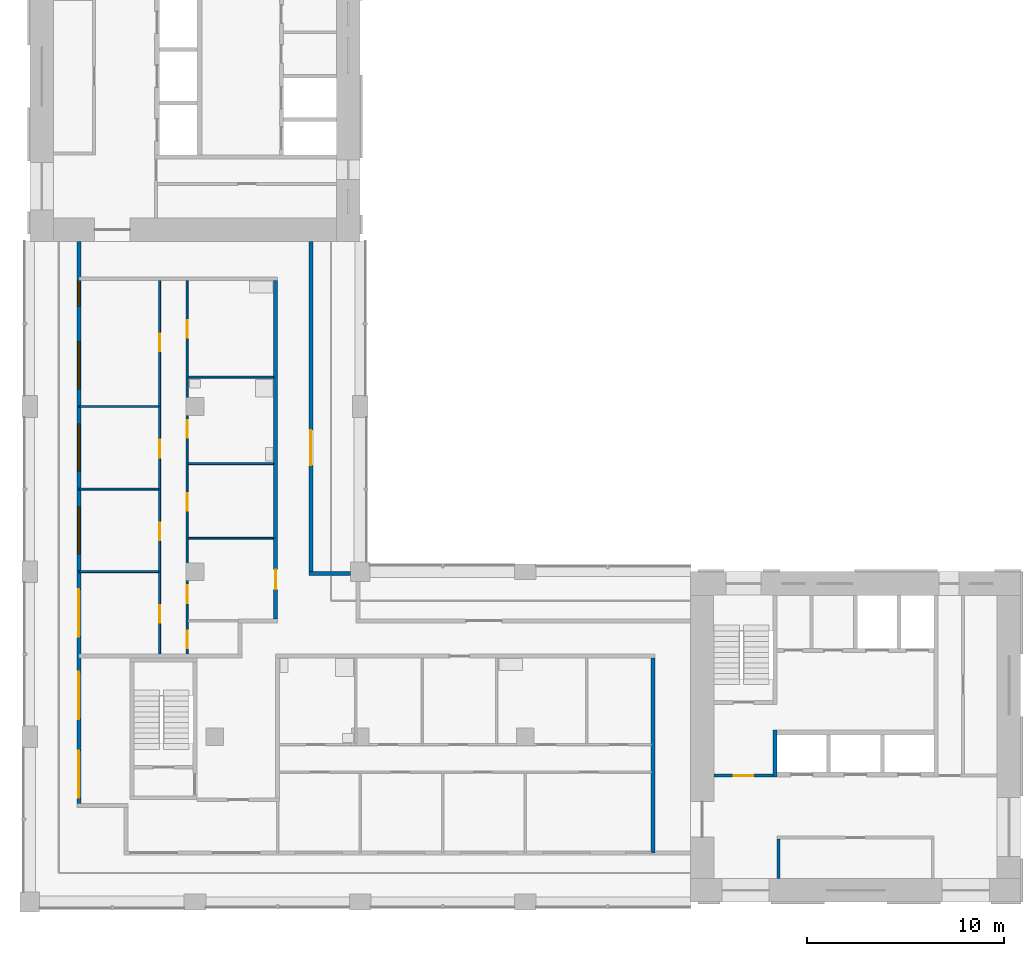
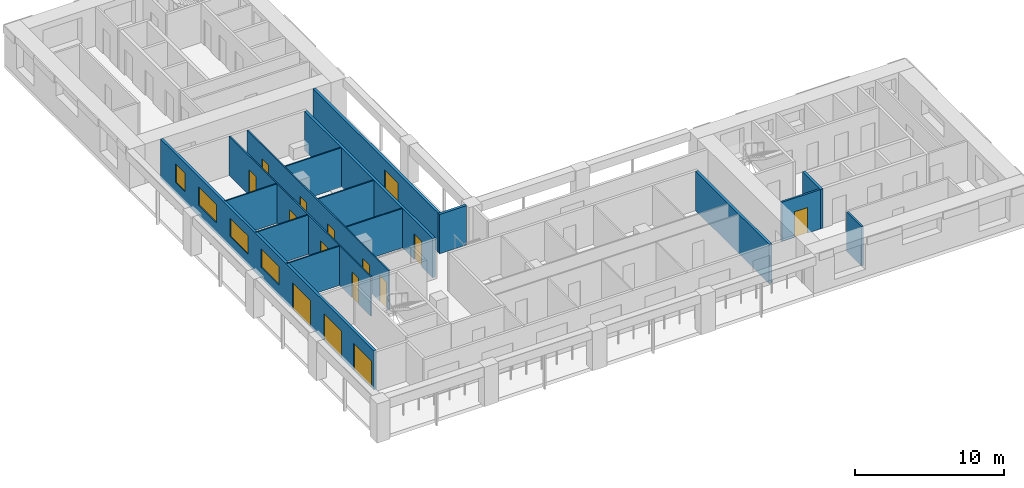
# One storey, part 3 of 9: 16 walls, 15 doors, 4 windows, 19 openings.
"""IFC4 building model written with IfcOpenShell, lengths in metres."""

from ifc_helpers import new_model, si_unit, direction, frame, frame_2d, origin, place, context, subcontext, project, spatial, rectangle, extrude, material, layer, layer_set, type_object, element, fill, save


model = new_model("IFC4")

# Units and contexts
model_context = context("Model", 3, precision=1e-05, world=origin(), true_north=direction((0.0, 1.0)))
body_context = subcontext(model_context, "Body", "Model", "MODEL_VIEW")
ifc_project = project(units=[si_unit("LENGTHUNIT", "METRE"), si_unit("AREAUNIT", "SQUARE_METRE"), si_unit("VOLUMEUNIT", "CUBIC_METRE"), si_unit("PLANEANGLEUNIT", "RADIAN"), si_unit("MASSUNIT", "GRAM", prefix="KILO")], contexts=[model_context])

# Site, building, storey
site_placement = place(None, origin())
site = spatial("IfcSite", under=ifc_project, at=site_placement, CompositionType="ELEMENT")
building_placement = place(site_placement, origin())
building = spatial("IfcBuilding", under=site, at=building_placement, Name="Vermilion Gate Residences", CompositionType="ELEMENT")
storey_placement = place(building_placement, frame((0.0, 0.0, 252.699951171875)))
storey = spatial("IfcBuildingStorey", under=building, at=storey_placement, Name="L66", CompositionType="ELEMENT", Elevation=252.699951171875)

# Wall
ifc_material_1 = material(Name="Masonry blockwork", Category="masonry")
ifc_layer_1 = layer(ifc_material_1, 0.14990234375)
ifc_layer_set_1 = layer_set([ifc_layer_1], Name="BLOCKWORK PARTITION 150 EI 120")
wall_type_1 = type_object("IfcWallType", Name="BLOCKWORK PARTITION 150 EI 120", PredefinedType="PARTITIONING", material=ifc_layer_set_1)
wall_1_placement = place(storey_placement, frame((46.47509765625, 9.60009765625, 0.0), z_axis=(0.0, 0.0, 1.0), x_axis=(0.0, 1.0, 0.0)))
element("IfcWall", 1, at=wall_1_placement, inside=storey, type_object=wall_type_1, Name="Core room partition A66-RW-W", PredefinedType="PARTITIONING", context=body_context, shape_type="SweptSolid", body=[
    extrude(rectangle(XDim=2.0, YDim=0.14990234375, at=frame_2d((1.0, 0.0))), origin(), (0.0, 0.0, 1.0), 3.219970703125),
])

# Wall, opening, door
wall_2_placement = place(storey_placement, frame((43.199951171875, 14.824951171875, 0.0), z_axis=(0.0, 0.0, 1.0), x_axis=(1.0, 0.0, 0.0)))
wall_2 = element("IfcWall", 2, at=wall_2_placement, inside=storey, type_object=wall_type_1, Name="Core room partition A66-VW-S", PredefinedType="PARTITIONING", context=body_context, shape_type="SweptSolid", body=[
    extrude(rectangle(XDim=3.0, YDim=0.14990234375, at=frame_2d((1.5, 0.0))), origin(), (0.0, 0.0, 1.0), 3.219970703125),
])
opening_1_placement = place(wall_2_placement, frame((1.0, 0.0, 0.0)))
opening_1 = element("IfcOpeningElement", 3, at=opening_1_placement, cuts=wall_2, Name="Opening DK66010", PredefinedType="OPENING", context=body_context, shape_type="SweptSolid", body=[
    extrude(rectangle(XDim=1.0, YDim=2.10009765625, at=frame_2d((0.5, 1.050048828125))), frame((0.0, 0.0849609375, 0.0), z_axis=(0.0, -1.0, 0.0), x_axis=(1.0, 0.0, 0.0)), (0.0, 0.0, 1.0), 0.169921875),
])
ifc_material_2 = material(Name="Steel", Category="steel")
door_type_1 = type_object("IfcDoorType", Name="FIRE DOOR FD60 1000 X 2100", OperationType="SINGLE_SWING_LEFT", PredefinedType="DOOR", material=ifc_material_2)
door_1_placement = place(opening_1_placement, frame((1.0, 0.0, 0.0), z_axis=(0.0, 0.0, 1.0), x_axis=(-1.0, 0.0, 0.0)))
door_1 = element("IfcDoor", 4, at=door_1_placement, inside=storey, type_object=door_type_1, Name="Stair vestibule door A66", OperationType="SINGLE_SWING_RIGHT", OverallHeight=2.10009765625, OverallWidth=1.0, PredefinedType="DOOR", context=body_context, shape_type="SweptSolid", body=[
    extrude(rectangle(XDim=1.0, YDim=2.10009765625, at=frame_2d((0.5, 1.050048828125))), frame((0.0, 0.02490234375, 0.0), z_axis=(0.0, -1.0, 0.0), x_axis=(1.0, 0.0, 0.0)), (0.0, 0.0, 1.0), 0.050048828125),
])
fill(opening_1, door_1)

# Wall, openings, doors, windows
ifc_material_3 = material(Name="Insulated steel stud wall with terracotta rainscreen", Category="masonry")
ifc_layer_2 = layer(ifc_material_3, 0.199951171875)
ifc_layer_set_2 = layer_set([ifc_layer_2], Name="EXTERNAL WALL 200 TERRACOTTA RAINSCREEN")
wall_type_2 = type_object("IfcWallType", Name="EXTERNAL WALL 200 TERRACOTTA RAINSCREEN", PredefinedType="SOLIDWALL", material=ifc_layer_set_2)
wall_3_placement = place(storey_placement, frame((10.89990234375, 42.0, 0.0), z_axis=(0.0, 0.0, 1.0), x_axis=(0.0, -1.0, 0.0)))
wall_3 = element("IfcWall", 5, at=wall_3_placement, inside=storey, type_object=wall_type_2, Name="External wall", PredefinedType="SOLIDWALL", context=body_context, shape_type="SweptSolid", body=[
    extrude(rectangle(XDim=28.60009765625, YDim=0.199951171875, at=frame_2d((14.300048828125, 0.0))), origin(), (0.0, 0.0, 1.0), 3.219970703125),
])
opening_2_placement = place(wall_3_placement, frame((25.89990234375, 0.0, 0.0)))
opening_2 = element("IfcOpeningElement", 6, at=opening_2_placement, cuts=wall_3, Name="Opening DE66001", PredefinedType="OPENING", context=body_context, shape_type="SweptSolid", body=[
    extrude(rectangle(XDim=2.39990234375, YDim=2.199951171875, at=frame_2d((1.199951171875, 1.10009765625))), frame((0.0, 0.10986328125, 0.0), z_axis=(0.0, -1.0, 0.0), x_axis=(1.0, 0.0, 0.0)), (0.0, 0.0, 1.0), 0.219970703125),
])
opening_3_placement = place(wall_3_placement, frame((21.89990234375, 0.0, 0.0)))
opening_3 = element("IfcOpeningElement", 7, at=opening_3_placement, cuts=wall_3, Name="Opening DE66002", PredefinedType="OPENING", context=body_context, shape_type="SweptSolid", body=[
    extrude(rectangle(XDim=2.39990234375, YDim=2.199951171875, at=frame_2d((1.199951171875, 1.10009765625))), frame((0.0, 0.10986328125, 0.0), z_axis=(0.0, -1.0, 0.0), x_axis=(1.0, 0.0, 0.0)), (0.0, 0.0, 1.0), 0.219970703125),
])
opening_4_placement = place(wall_3_placement, frame((17.699951171875, 0.0, 0.0)))
opening_4 = element("IfcOpeningElement", 8, at=opening_4_placement, cuts=wall_3, Name="Opening DE66003", PredefinedType="OPENING", context=body_context, shape_type="SweptSolid", body=[
    extrude(rectangle(XDim=2.39990234375, YDim=2.199951171875, at=frame_2d((1.199951171875, 1.10009765625))), frame((0.0, 0.10986328125, 0.0), z_axis=(0.0, -1.0, 0.0), x_axis=(1.0, 0.0, 0.0)), (0.0, 0.0, 1.0), 0.219970703125),
])
opening_5_placement = place(wall_3_placement, frame((13.5, 0.0, 0.89990234375)))
opening_5 = element("IfcOpeningElement", 9, at=opening_5_placement, cuts=wall_3, Name="Opening WE66004", PredefinedType="OPENING", context=body_context, shape_type="SweptSolid", body=[
    extrude(rectangle(XDim=2.39990234375, YDim=1.5, at=frame_2d((1.199951171875, 0.75))), frame((0.0, 0.10986328125, 0.0), z_axis=(0.0, -1.0, 0.0), x_axis=(1.0, 0.0, 0.0)), (0.0, 0.0, 1.0), 0.219970703125),
])
opening_6_placement = place(wall_3_placement, frame((9.300048828125, 0.0, 0.89990234375)))
opening_6 = element("IfcOpeningElement", 10, at=opening_6_placement, cuts=wall_3, Name="Opening WE66005", PredefinedType="OPENING", context=body_context, shape_type="SweptSolid", body=[
    extrude(rectangle(XDim=2.39990234375, YDim=1.5, at=frame_2d((1.199951171875, 0.75))), frame((0.0, 0.10986328125, 0.0), z_axis=(0.0, -1.0, 0.0), x_axis=(1.0, 0.0, 0.0)), (0.0, 0.0, 1.0), 0.219970703125),
])
opening_7_placement = place(wall_3_placement, frame((5.10009765625, 0.0, 0.89990234375)))
opening_7 = element("IfcOpeningElement", 11, at=opening_7_placement, cuts=wall_3, Name="Opening WE66006", PredefinedType="OPENING", context=body_context, shape_type="SweptSolid", body=[
    extrude(rectangle(XDim=2.39990234375, YDim=1.5, at=frame_2d((1.199951171875, 0.75))), frame((0.0, 0.10986328125, 0.0), z_axis=(0.0, -1.0, 0.0), x_axis=(1.0, 0.0, 0.0)), (0.0, 0.0, 1.0), 0.219970703125),
])
opening_8_placement = place(wall_3_placement, frame((2.0, 0.0, 0.89990234375)))
opening_8 = element("IfcOpeningElement", 12, at=opening_8_placement, cuts=wall_3, Name="Opening WE66007", PredefinedType="OPENING", context=body_context, shape_type="SweptSolid", body=[
    extrude(rectangle(XDim=1.300048828125, YDim=1.5, at=frame_2d((0.64990234375, 0.75))), frame((0.0, 0.10986328125, 0.0), z_axis=(0.0, -1.0, 0.0), x_axis=(1.0, 0.0, 0.0)), (0.0, 0.0, 1.0), 0.219970703125),
])
ifc_material_4 = material(Name="Aluminium and clear glass", Category="aluminium")
door_type_2 = type_object("IfcDoorType", Name="SLIDING GLAZED DOOR 2400 X 2200", OperationType="DOUBLE_DOOR_SLIDING", PredefinedType="DOOR", material=ifc_material_4)
door_2_placement = place(opening_2_placement, origin())
door_2 = element("IfcDoor", 13, at=door_2_placement, inside=storey, type_object=door_type_2, Name="Loggia sliding door", OperationType="DOUBLE_DOOR_SLIDING", OverallHeight=2.199951171875, OverallWidth=2.39990234375, PredefinedType="DOOR", context=body_context, shape_type="SweptSolid", body=[
    extrude(rectangle(XDim=2.39990234375, YDim=2.199951171875, at=frame_2d((1.199951171875, 1.10009765625))), frame((0.0, 0.02490234375, 0.0), z_axis=(0.0, -1.0, 0.0), x_axis=(1.0, 0.0, 0.0)), (0.0, 0.0, 1.0), 0.050048828125),
])
fill(opening_2, door_2)
door_3_placement = place(opening_3_placement, origin())
door_3 = element("IfcDoor", 14, at=door_3_placement, inside=storey, type_object=door_type_2, Name="Loggia sliding door", OperationType="DOUBLE_DOOR_SLIDING", OverallHeight=2.199951171875, OverallWidth=2.39990234375, PredefinedType="DOOR", context=body_context, shape_type="SweptSolid", body=[
    extrude(rectangle(XDim=2.39990234375, YDim=2.199951171875, at=frame_2d((1.199951171875, 1.10009765625))), frame((0.0, 0.02490234375, 0.0), z_axis=(0.0, -1.0, 0.0), x_axis=(1.0, 0.0, 0.0)), (0.0, 0.0, 1.0), 0.050048828125),
])
fill(opening_3, door_3)
door_4_placement = place(opening_4_placement, origin())
door_4 = element("IfcDoor", 15, at=door_4_placement, inside=storey, type_object=door_type_2, Name="Loggia sliding door", OperationType="DOUBLE_DOOR_SLIDING", OverallHeight=2.199951171875, OverallWidth=2.39990234375, PredefinedType="DOOR", context=body_context, shape_type="SweptSolid", body=[
    extrude(rectangle(XDim=2.39990234375, YDim=2.199951171875, at=frame_2d((1.199951171875, 1.10009765625))), frame((0.0, 0.02490234375, 0.0), z_axis=(0.0, -1.0, 0.0), x_axis=(1.0, 0.0, 0.0)), (0.0, 0.0, 1.0), 0.050048828125),
])
fill(opening_4, door_4)
ifc_material_5 = material(Name="Aluminium and clear glass", Category="aluminium")
window_type_1 = type_object("IfcWindowType", Name="WINDOW 1300 X 1500", PartitioningType="SINGLE_PANEL", PredefinedType="WINDOW", material=ifc_material_5)
window_1_placement = place(opening_8_placement, origin())
window_1 = element("IfcWindow", 16, at=window_1_placement, inside=storey, type_object=window_type_1, Name="Window", OverallHeight=1.5, OverallWidth=1.300048828125, PartitioningType="SINGLE_PANEL", PredefinedType="WINDOW", context=body_context, shape_type="SweptSolid", body=[
    extrude(rectangle(XDim=1.300048828125, YDim=1.5, at=frame_2d((0.64990234375, 0.75))), frame((0.0, 0.030029296875, 0.0), z_axis=(0.0, -1.0, 0.0), x_axis=(1.0, 0.0, 0.0)), (0.0, 0.0, 1.0), 0.06005859375),
])
fill(opening_8, window_1)
ifc_material_6 = material(Name="Aluminium and clear glass", Category="aluminium")
window_type_2 = type_object("IfcWindowType", Name="WINDOW 2400 X 1500", PartitioningType="SINGLE_PANEL", PredefinedType="WINDOW", material=ifc_material_6)
window_2_placement = place(opening_5_placement, origin())
window_2 = element("IfcWindow", 17, at=window_2_placement, inside=storey, type_object=window_type_2, Name="Window", OverallHeight=1.5, OverallWidth=2.39990234375, PartitioningType="SINGLE_PANEL", PredefinedType="WINDOW", context=body_context, shape_type="SweptSolid", body=[
    extrude(rectangle(XDim=2.39990234375, YDim=1.5, at=frame_2d((1.199951171875, 0.75))), frame((0.0, 0.030029296875, 0.0), z_axis=(0.0, -1.0, 0.0), x_axis=(1.0, 0.0, 0.0)), (0.0, 0.0, 1.0), 0.06005859375),
])
fill(opening_5, window_2)
window_3_placement = place(opening_6_placement, origin())
window_3 = element("IfcWindow", 18, at=window_3_placement, inside=storey, type_object=window_type_2, Name="Window", OverallHeight=1.5, OverallWidth=2.39990234375, PartitioningType="SINGLE_PANEL", PredefinedType="WINDOW", context=body_context, shape_type="SweptSolid", body=[
    extrude(rectangle(XDim=2.39990234375, YDim=1.5, at=frame_2d((1.199951171875, 0.75))), frame((0.0, 0.030029296875, 0.0), z_axis=(0.0, -1.0, 0.0), x_axis=(1.0, 0.0, 0.0)), (0.0, 0.0, 1.0), 0.06005859375),
])
fill(opening_6, window_3)
window_4_placement = place(opening_7_placement, origin())
window_4 = element("IfcWindow", 19, at=window_4_placement, inside=storey, type_object=window_type_2, Name="Window", OverallHeight=1.5, OverallWidth=2.39990234375, PartitioningType="SINGLE_PANEL", PredefinedType="WINDOW", context=body_context, shape_type="SweptSolid", body=[
    extrude(rectangle(XDim=2.39990234375, YDim=1.5, at=frame_2d((1.199951171875, 0.75))), frame((0.0, 0.030029296875, 0.0), z_axis=(0.0, -1.0, 0.0), x_axis=(1.0, 0.0, 0.0)), (0.0, 0.0, 1.0), 0.06005859375),
])
fill(opening_7, window_4)

# Wall
wall_4_placement = place(storey_placement, frame((24.699951171875, 25.10009765625, 0.0), z_axis=(0.0, 0.0, 1.0), x_axis=(-1.0, 0.0, 0.0)))
element("IfcWall", 20, at=wall_4_placement, inside=storey, type_object=wall_type_2, Name="External wall", PredefinedType="SOLIDWALL", context=body_context, shape_type="SweptSolid", body=[
    extrude(rectangle(XDim=2.099853515625, YDim=0.199951171875, at=frame_2d((1.0498046875, 0.0))), origin(), (0.0, 0.0, 1.0), 3.219970703125),
])

# Wall, opening, door
wall_5_placement = place(storey_placement, frame((22.699951171875, 25.199951171875, 0.0), z_axis=(0.0, 0.0, 1.0), x_axis=(0.0, 1.0, 0.0)))
wall_5 = element("IfcWall", 21, at=wall_5_placement, inside=storey, type_object=wall_type_2, Name="External wall", PredefinedType="SOLIDWALL", context=body_context, shape_type="SweptSolid", body=[
    extrude(rectangle(XDim=16.800048828125, YDim=0.199951171875, at=frame_2d((8.39990234375, 0.0))), origin(), (0.0, 0.0, 1.0), 3.219970703125),
])
opening_9_placement = place(wall_5_placement, frame((5.39990234375, 0.0, 0.0)))
opening_9 = element("IfcOpeningElement", 22, at=opening_9_placement, cuts=wall_5, Name="Opening DE66016", PredefinedType="OPENING", context=body_context, shape_type="SweptSolid", body=[
    extrude(rectangle(XDim=1.800048828125, YDim=2.39990234375, at=frame_2d((0.89990234375, 1.199951171875))), frame((0.0, 0.10986328125, 0.0), z_axis=(0.0, -1.0, 0.0), x_axis=(1.0, 0.0, 0.0)), (0.0, 0.0, 1.0), 0.219970703125),
])
ifc_material_7 = material(Name="Aluminium and clear glass", Category="aluminium")
door_type_3 = type_object("IfcDoorType", Name="GLAZED EXTERNAL DOOR 1800 X 2400", OperationType="DOUBLE_DOOR_SINGLE_SWING", PredefinedType="DOOR", material=ifc_material_7)
door_5_placement = place(opening_9_placement, frame((1.800048828125, 0.0, 0.0), z_axis=(0.0, 0.0, 1.0), x_axis=(-1.0, 0.0, 0.0)))
door_5 = element("IfcDoor", 23, at=door_5_placement, inside=storey, type_object=door_type_3, Name="Gallery door", OperationType="DOUBLE_DOOR_SINGLE_SWING", OverallHeight=2.39990234375, OverallWidth=1.800048828125, PredefinedType="DOOR", context=body_context, shape_type="SweptSolid", body=[
    extrude(rectangle(XDim=1.800048828125, YDim=2.39990234375, at=frame_2d((0.89990234375, 1.199951171875))), frame((0.0, 0.02490234375, 0.0), z_axis=(0.0, -1.0, 0.0), x_axis=(1.0, 0.0, 0.0)), (0.0, 0.0, 1.0), 0.050048828125),
])
fill(opening_9, door_5)

# Walls
ifc_material_8 = material(Name="Plasterboard on steel studs", Category="steel")
ifc_layer_3 = layer(ifc_material_8, 0.10009765625)
ifc_layer_set_3 = layer_set([ifc_layer_3], Name="PARTITION 100")
wall_type_3 = type_object("IfcWallType", Name="PARTITION 100", PredefinedType="PARTITIONING", material=ifc_layer_set_3)
wall_6_placement = place(storey_placement, frame((10.89990234375, 25.199951171875, 0.0), z_axis=(0.0, 0.0, 1.0), x_axis=(1.0, 0.0, 0.0)))
element("IfcWall", 24, at=wall_6_placement, inside=storey, type_object=wall_type_3, Name="Partition", PredefinedType="PARTITIONING", context=body_context, shape_type="SweptSolid", body=[
    extrude(rectangle(XDim=4.050048828125, YDim=0.10009765625, at=frame_2d((2.02490234375, 0.0))), origin(), (0.0, 0.0, 1.0), 3.219970703125),
])
wall_7_placement = place(storey_placement, frame((16.449951171875, 26.89990234375, 0.0), z_axis=(0.0, 0.0, 1.0), x_axis=(1.0, 0.0, 0.0)))
element("IfcWall", 25, at=wall_7_placement, inside=storey, type_object=wall_type_3, Name="Partition", PredefinedType="PARTITIONING", context=body_context, shape_type="SweptSolid", body=[
    extrude(rectangle(XDim=4.35009765625, YDim=0.10009765625, at=frame_2d((2.175048828125, 0.0))), origin(), (0.0, 0.0, 1.0), 3.219970703125),
])
wall_8_placement = place(storey_placement, frame((10.89990234375, 29.39990234375, 0.0), z_axis=(0.0, 0.0, 1.0), x_axis=(1.0, 0.0, 0.0)))
element("IfcWall", 26, at=wall_8_placement, inside=storey, type_object=wall_type_3, Name="Partition", PredefinedType="PARTITIONING", context=body_context, shape_type="SweptSolid", body=[
    extrude(rectangle(XDim=4.050048828125, YDim=0.10009765625, at=frame_2d((2.02490234375, 0.0))), origin(), (0.0, 0.0, 1.0), 3.219970703125),
])
wall_9_placement = place(storey_placement, frame((16.449951171875, 30.699951171875, 0.0), z_axis=(0.0, 0.0, 1.0), x_axis=(1.0, 0.0, 0.0)))
element("IfcWall", 27, at=wall_9_placement, inside=storey, type_object=wall_type_3, Name="Partition", PredefinedType="PARTITIONING", context=body_context, shape_type="SweptSolid", body=[
    extrude(rectangle(XDim=4.35009765625, YDim=0.10009765625, at=frame_2d((2.175048828125, 0.0))), origin(), (0.0, 0.0, 1.0), 3.219970703125),
])
wall_10_placement = place(storey_placement, frame((10.89990234375, 33.60009765625, 0.0), z_axis=(0.0, 0.0, 1.0), x_axis=(1.0, 0.0, 0.0)))
element("IfcWall", 28, at=wall_10_placement, inside=storey, type_object=wall_type_3, Name="Partition", PredefinedType="PARTITIONING", context=body_context, shape_type="SweptSolid", body=[
    extrude(rectangle(XDim=4.050048828125, YDim=0.10009765625, at=frame_2d((2.02490234375, 0.0))), origin(), (0.0, 0.0, 1.0), 3.219970703125),
])
wall_11_placement = place(storey_placement, frame((16.449951171875, 35.10009765625, 0.0), z_axis=(0.0, 0.0, 1.0), x_axis=(1.0, 0.0, 0.0)))
element("IfcWall", 29, at=wall_11_placement, inside=storey, type_object=wall_type_3, Name="Partition", PredefinedType="PARTITIONING", context=body_context, shape_type="SweptSolid", body=[
    extrude(rectangle(XDim=4.35009765625, YDim=0.10009765625, at=frame_2d((2.175048828125, 0.0))), origin(), (0.0, 0.0, 1.0), 3.219970703125),
])

# Wall, openings, doors
wall_12_placement = place(storey_placement, frame((15.0, 21.0, 0.0), z_axis=(0.0, 0.0, 1.0), x_axis=(0.0, 1.0, 0.0)))
wall_12 = element("IfcWall", 30, at=wall_12_placement, inside=storey, type_object=wall_type_3, Name="Partition", PredefinedType="PARTITIONING", context=body_context, shape_type="SweptSolid", body=[
    extrude(rectangle(XDim=19.0, YDim=0.10009765625, at=frame_2d((9.5, 0.0))), origin(), (0.0, 0.0, 1.0), 3.219970703125),
])
opening_10_placement = place(wall_12_placement, frame((1.60009765625, 0.0, 0.0)))
opening_10 = element("IfcOpeningElement", 31, at=opening_10_placement, cuts=wall_12, Name="Opening DA64012", PredefinedType="OPENING", context=body_context, shape_type="SweptSolid", body=[
    extrude(rectangle(XDim=0.89990234375, YDim=2.10009765625, at=frame_2d((0.449951171875, 1.050048828125))), frame((0.0, 0.06005859375, 0.0), z_axis=(0.0, -1.0, 0.0), x_axis=(1.0, 0.0, 0.0)), (0.0, 0.0, 1.0), 0.1201171875),
])
opening_11_placement = place(wall_12_placement, frame((5.800048828125, 0.0, 0.0)))
opening_11 = element("IfcOpeningElement", 32, at=opening_11_placement, cuts=wall_12, Name="Opening DA64013", PredefinedType="OPENING", context=body_context, shape_type="SweptSolid", body=[
    extrude(rectangle(XDim=0.89990234375, YDim=2.10009765625, at=frame_2d((0.449951171875, 1.050048828125))), frame((0.0, 0.06005859375, 0.0), z_axis=(0.0, -1.0, 0.0), x_axis=(1.0, 0.0, 0.0)), (0.0, 0.0, 1.0), 0.1201171875),
])
opening_12_placement = place(wall_12_placement, frame((10.0, 0.0, 0.0)))
opening_12 = element("IfcOpeningElement", 33, at=opening_12_placement, cuts=wall_12, Name="Opening DA64014", PredefinedType="OPENING", context=body_context, shape_type="SweptSolid", body=[
    extrude(rectangle(XDim=0.89990234375, YDim=2.10009765625, at=frame_2d((0.449951171875, 1.050048828125))), frame((0.0, 0.06005859375, 0.0), z_axis=(0.0, -1.0, 0.0), x_axis=(1.0, 0.0, 0.0)), (0.0, 0.0, 1.0), 0.1201171875),
])
opening_13_placement = place(wall_12_placement, frame((15.39990234375, 0.0, 0.0)))
opening_13 = element("IfcOpeningElement", 34, at=opening_13_placement, cuts=wall_12, Name="Opening DA64015", PredefinedType="OPENING", context=body_context, shape_type="SweptSolid", body=[
    extrude(rectangle(XDim=0.89990234375, YDim=2.10009765625, at=frame_2d((0.449951171875, 1.050048828125))), frame((0.0, 0.06005859375, 0.0), z_axis=(0.0, -1.0, 0.0), x_axis=(1.0, 0.0, 0.0)), (0.0, 0.0, 1.0), 0.1201171875),
])
ifc_material_9 = material(Name="Timber", Category="wood")
door_type_4 = type_object("IfcDoorType", Name="INTERIOR DOOR 900 X 2100", OperationType="SINGLE_SWING_LEFT", PredefinedType="DOOR", material=ifc_material_9)
door_6_placement = place(opening_10_placement, origin())
door_6 = element("IfcDoor", 35, at=door_6_placement, inside=storey, type_object=door_type_4, Name="Interior door", OperationType="SINGLE_SWING_LEFT", OverallHeight=2.10009765625, OverallWidth=0.89990234375, PredefinedType="DOOR", context=body_context, shape_type="SweptSolid", body=[
    extrude(rectangle(XDim=0.89990234375, YDim=2.10009765625, at=frame_2d((0.449951171875, 1.050048828125))), frame((0.0, 0.02490234375, 0.0), z_axis=(0.0, -1.0, 0.0), x_axis=(1.0, 0.0, 0.0)), (0.0, 0.0, 1.0), 0.050048828125),
])
fill(opening_10, door_6)
door_7_placement = place(opening_11_placement, origin())
door_7 = element("IfcDoor", 36, at=door_7_placement, inside=storey, type_object=door_type_4, Name="Interior door", OperationType="SINGLE_SWING_LEFT", OverallHeight=2.10009765625, OverallWidth=0.89990234375, PredefinedType="DOOR", context=body_context, shape_type="SweptSolid", body=[
    extrude(rectangle(XDim=0.89990234375, YDim=2.10009765625, at=frame_2d((0.449951171875, 1.050048828125))), frame((0.0, 0.02490234375, 0.0), z_axis=(0.0, -1.0, 0.0), x_axis=(1.0, 0.0, 0.0)), (0.0, 0.0, 1.0), 0.050048828125),
])
fill(opening_11, door_7)
door_8_placement = place(opening_12_placement, origin())
door_8 = element("IfcDoor", 37, at=door_8_placement, inside=storey, type_object=door_type_4, Name="Interior door", OperationType="SINGLE_SWING_LEFT", OverallHeight=2.10009765625, OverallWidth=0.89990234375, PredefinedType="DOOR", context=body_context, shape_type="SweptSolid", body=[
    extrude(rectangle(XDim=0.89990234375, YDim=2.10009765625, at=frame_2d((0.449951171875, 1.050048828125))), frame((0.0, 0.02490234375, 0.0), z_axis=(0.0, -1.0, 0.0), x_axis=(1.0, 0.0, 0.0)), (0.0, 0.0, 1.0), 0.050048828125),
])
fill(opening_12, door_8)
door_9_placement = place(opening_13_placement, origin())
door_9 = element("IfcDoor", 38, at=door_9_placement, inside=storey, type_object=door_type_4, Name="Interior door", OperationType="SINGLE_SWING_RIGHT", OverallHeight=2.10009765625, OverallWidth=0.89990234375, PredefinedType="DOOR", context=body_context, shape_type="SweptSolid", body=[
    extrude(rectangle(XDim=0.89990234375, YDim=2.10009765625, at=frame_2d((0.449951171875, 1.050048828125))), frame((0.0, 0.02490234375, 0.0), z_axis=(0.0, -1.0, 0.0), x_axis=(1.0, 0.0, 0.0)), (0.0, 0.0, 1.0), 0.050048828125),
])
fill(opening_13, door_9)

wall_13_placement = place(storey_placement, frame((16.39990234375, 21.0, 0.0), z_axis=(0.0, 0.0, 1.0), x_axis=(0.0, 1.0, 0.0)))
wall_13 = element("IfcWall", 39, at=wall_13_placement, inside=storey, type_object=wall_type_3, Name="Partition", PredefinedType="PARTITIONING", context=body_context, shape_type="SweptSolid", body=[
    extrude(rectangle(XDim=19.0, YDim=0.10009765625, at=frame_2d((9.5, 0.0))), origin(), (0.0, 0.0, 1.0), 3.219970703125),
])
opening_14_placement = place(wall_13_placement, frame((2.60009765625, 0.0, 0.0)))
opening_14 = element("IfcOpeningElement", 40, at=opening_14_placement, cuts=wall_13, Name="Opening DA64016", PredefinedType="OPENING", context=body_context, shape_type="SweptSolid", body=[
    extrude(rectangle(XDim=0.89990234375, YDim=2.10009765625, at=frame_2d((0.449951171875, 1.050048828125))), frame((0.0, 0.06005859375, 0.0), z_axis=(0.0, -1.0, 0.0), x_axis=(1.0, 0.0, 0.0)), (0.0, 0.0, 1.0), 0.1201171875),
])
opening_15_placement = place(wall_13_placement, frame((0.300048828125, 0.0, 0.0)))
opening_15 = element("IfcOpeningElement", 41, at=opening_15_placement, cuts=wall_13, Name="Opening DA64017", PredefinedType="OPENING", context=body_context, shape_type="SweptSolid", body=[
    extrude(rectangle(XDim=0.89990234375, YDim=2.10009765625, at=frame_2d((0.449951171875, 1.050048828125))), frame((0.0, 0.06005859375, 0.0), z_axis=(0.0, -1.0, 0.0), x_axis=(1.0, 0.0, 0.0)), (0.0, 0.0, 1.0), 0.1201171875),
])
opening_16_placement = place(wall_13_placement, frame((7.300048828125, 0.0, 0.0)))
opening_16 = element("IfcOpeningElement", 42, at=opening_16_placement, cuts=wall_13, Name="Opening DA64018", PredefinedType="OPENING", context=body_context, shape_type="SweptSolid", body=[
    extrude(rectangle(XDim=0.89990234375, YDim=2.10009765625, at=frame_2d((0.449951171875, 1.050048828125))), frame((0.0, 0.06005859375, 0.0), z_axis=(0.0, -1.0, 0.0), x_axis=(1.0, 0.0, 0.0)), (0.0, 0.0, 1.0), 0.1201171875),
])
opening_17_placement = place(wall_13_placement, frame((11.0, 0.0, 0.0)))
opening_17 = element("IfcOpeningElement", 43, at=opening_17_placement, cuts=wall_13, Name="Opening DA64019", PredefinedType="OPENING", context=body_context, shape_type="SweptSolid", body=[
    extrude(rectangle(XDim=0.89990234375, YDim=2.10009765625, at=frame_2d((0.449951171875, 1.050048828125))), frame((0.0, 0.06005859375, 0.0), z_axis=(0.0, -1.0, 0.0), x_axis=(1.0, 0.0, 0.0)), (0.0, 0.0, 1.0), 0.1201171875),
])
opening_18_placement = place(wall_13_placement, frame((16.10009765625, 0.0, 0.0)))
opening_18 = element("IfcOpeningElement", 44, at=opening_18_placement, cuts=wall_13, Name="Opening DA64020", PredefinedType="OPENING", context=body_context, shape_type="SweptSolid", body=[
    extrude(rectangle(XDim=0.89990234375, YDim=2.10009765625, at=frame_2d((0.449951171875, 1.050048828125))), frame((0.0, 0.06005859375, 0.0), z_axis=(0.0, -1.0, 0.0), x_axis=(1.0, 0.0, 0.0)), (0.0, 0.0, 1.0), 0.1201171875),
])
door_10_placement = place(opening_14_placement, frame((0.89990234375, 0.0, 0.0), z_axis=(0.0, 0.0, 1.0), x_axis=(-1.0, 0.0, 0.0)))
door_10 = element("IfcDoor", 45, at=door_10_placement, inside=storey, type_object=door_type_4, Name="Interior door", OperationType="SINGLE_SWING_LEFT", OverallHeight=2.10009765625, OverallWidth=0.89990234375, PredefinedType="DOOR", context=body_context, shape_type="SweptSolid", body=[
    extrude(rectangle(XDim=0.89990234375, YDim=2.10009765625, at=frame_2d((0.449951171875, 1.050048828125))), frame((0.0, 0.02490234375, 0.0), z_axis=(0.0, -1.0, 0.0), x_axis=(1.0, 0.0, 0.0)), (0.0, 0.0, 1.0), 0.050048828125),
])
fill(opening_14, door_10)
door_11_placement = place(opening_15_placement, frame((0.89990234375, 0.0, 0.0), z_axis=(0.0, 0.0, 1.0), x_axis=(-1.0, 0.0, 0.0)))
door_11 = element("IfcDoor", 46, at=door_11_placement, inside=storey, type_object=door_type_4, Name="Interior door", OperationType="SINGLE_SWING_RIGHT", OverallHeight=2.10009765625, OverallWidth=0.89990234375, PredefinedType="DOOR", context=body_context, shape_type="SweptSolid", body=[
    extrude(rectangle(XDim=0.89990234375, YDim=2.10009765625, at=frame_2d((0.449951171875, 1.050048828125))), frame((0.0, 0.02490234375, 0.0), z_axis=(0.0, -1.0, 0.0), x_axis=(1.0, 0.0, 0.0)), (0.0, 0.0, 1.0), 0.050048828125),
])
fill(opening_15, door_11)
door_12_placement = place(opening_16_placement, frame((0.89990234375, 0.0, 0.0), z_axis=(0.0, 0.0, 1.0), x_axis=(-1.0, 0.0, 0.0)))
door_12 = element("IfcDoor", 47, at=door_12_placement, inside=storey, type_object=door_type_4, Name="Interior door", OperationType="SINGLE_SWING_RIGHT", OverallHeight=2.10009765625, OverallWidth=0.89990234375, PredefinedType="DOOR", context=body_context, shape_type="SweptSolid", body=[
    extrude(rectangle(XDim=0.89990234375, YDim=2.10009765625, at=frame_2d((0.449951171875, 1.050048828125))), frame((0.0, 0.02490234375, 0.0), z_axis=(0.0, -1.0, 0.0), x_axis=(1.0, 0.0, 0.0)), (0.0, 0.0, 1.0), 0.050048828125),
])
fill(opening_16, door_12)
door_13_placement = place(opening_17_placement, frame((0.89990234375, 0.0, 0.0), z_axis=(0.0, 0.0, 1.0), x_axis=(-1.0, 0.0, 0.0)))
door_13 = element("IfcDoor", 48, at=door_13_placement, inside=storey, type_object=door_type_4, Name="Interior door", OperationType="SINGLE_SWING_LEFT", OverallHeight=2.10009765625, OverallWidth=0.89990234375, PredefinedType="DOOR", context=body_context, shape_type="SweptSolid", body=[
    extrude(rectangle(XDim=0.89990234375, YDim=2.10009765625, at=frame_2d((0.449951171875, 1.050048828125))), frame((0.0, 0.02490234375, 0.0), z_axis=(0.0, -1.0, 0.0), x_axis=(1.0, 0.0, 0.0)), (0.0, 0.0, 1.0), 0.050048828125),
])
fill(opening_17, door_13)
door_14_placement = place(opening_18_placement, frame((0.89990234375, 0.0, 0.0), z_axis=(0.0, 0.0, 1.0), x_axis=(-1.0, 0.0, 0.0)))
door_14 = element("IfcDoor", 49, at=door_14_placement, inside=storey, type_object=door_type_4, Name="Interior door", OperationType="SINGLE_SWING_RIGHT", OverallHeight=2.10009765625, OverallWidth=0.89990234375, PredefinedType="DOOR", context=body_context, shape_type="SweptSolid", body=[
    extrude(rectangle(XDim=0.89990234375, YDim=2.10009765625, at=frame_2d((0.449951171875, 1.050048828125))), frame((0.0, 0.02490234375, 0.0), z_axis=(0.0, -1.0, 0.0), x_axis=(1.0, 0.0, 0.0)), (0.0, 0.0, 1.0), 0.050048828125),
])
fill(opening_18, door_14)

# Wall, opening, door
ifc_material_10 = material(Name="Fire-rated plasterboard on steel studs", Category="steel")
ifc_layer_4 = layer(ifc_material_10, 0.199951171875)
ifc_layer_set_4 = layer_set([ifc_layer_4], Name="PARTY WALL 200 EI 120")
wall_type_4 = type_object("IfcWallType", Name="PARTY WALL 200 EI 120", PredefinedType="PARTITIONING", material=ifc_layer_set_4)
wall_14_placement = place(storey_placement, frame((20.89990234375, 22.800048828125, 0.0), z_axis=(0.0, 0.0, 1.0), x_axis=(0.0, 1.0, 0.0)))
wall_14 = element("IfcWall", 50, at=wall_14_placement, inside=storey, type_object=wall_type_4, Name="Party and corridor wall", PredefinedType="PARTITIONING", context=body_context, shape_type="SweptSolid", body=[
    extrude(rectangle(XDim=17.199951171875, YDim=0.199951171875, at=frame_2d((8.60009765625, 0.0))), origin(), (0.0, 0.0, 1.0), 3.219970703125),
])
opening_19_placement = place(wall_14_placement, frame((1.5, 0.0, 0.0)))
opening_19 = element("IfcOpeningElement", 51, at=opening_19_placement, cuts=wall_14, Name="Opening DA64021", PredefinedType="OPENING", context=body_context, shape_type="SweptSolid", body=[
    extrude(rectangle(XDim=1.0, YDim=2.10009765625, at=frame_2d((0.5, 1.050048828125))), frame((0.0, 0.10986328125, 0.0), z_axis=(0.0, -1.0, 0.0), x_axis=(1.0, 0.0, 0.0)), (0.0, 0.0, 1.0), 0.219970703125),
])
ifc_material_11 = material(Name="Steel", Category="steel")
door_type_5 = type_object("IfcDoorType", Name="ENTRANCE DOOR 1000 X 2100 FD30", OperationType="SINGLE_SWING_LEFT", PredefinedType="DOOR", material=ifc_material_11)
door_15_placement = place(opening_19_placement, origin())
door_15 = element("IfcDoor", 52, at=door_15_placement, inside=storey, type_object=door_type_5, Name="Entrance door", OperationType="SINGLE_SWING_LEFT", OverallHeight=2.10009765625, OverallWidth=1.0, PredefinedType="DOOR", context=body_context, shape_type="SweptSolid", body=[
    extrude(rectangle(XDim=1.0, YDim=2.10009765625, at=frame_2d((0.5, 1.050048828125))), frame((0.0, 0.02490234375, 0.0), z_axis=(0.0, -1.0, 0.0), x_axis=(1.0, 0.0, 0.0)), (0.0, 0.0, 1.0), 0.050048828125),
])
fill(opening_19, door_15)

# Walls
wall_15_placement = place(storey_placement, frame((40.10009765625, 10.89990234375, 0.0), z_axis=(0.0, 0.0, 1.0), x_axis=(0.0, 1.0, 0.0)))
element("IfcWall", 53, at=wall_15_placement, inside=storey, type_object=wall_type_4, Name="Party and corridor wall", PredefinedType="PARTITIONING", context=body_context, shape_type="SweptSolid", body=[
    extrude(rectangle(XDim=9.900146484375, YDim=0.199951171875, at=frame_2d((4.9501953125, 0.0))), origin(), (0.0, 0.0, 1.0), 3.219970703125),
])
ifc_material_12 = material(Name="Concrete C60", Category="concrete")
ifc_layer_5 = layer(ifc_material_12, 0.199951171875)
ifc_layer_set_5 = layer_set([ifc_layer_5], Name="RC CORE INTERNAL WALL 200 C60")
wall_type_5 = type_object("IfcWallType", Name="RC CORE INTERNAL WALL 200 C60", PredefinedType="SHEAR", material=ifc_layer_set_5)
wall_16_placement = place(storey_placement, frame((46.300048828125, 14.75, 0.0), z_axis=(0.0, 0.0, 1.0), x_axis=(0.0, 1.0, 0.0)))
element("IfcWall", 54, at=wall_16_placement, inside=storey, type_object=wall_type_5, Name="Core internal wall A66-WDIV1", PredefinedType="SHEAR", context=body_context, shape_type="SweptSolid", body=[
    extrude(rectangle(XDim=2.39990234375, YDim=0.199951171875, at=frame_2d((1.199951171875, 0.0))), origin(), (0.0, 0.0, 1.0), 3.219970703125),
])

save(model, "model.ifc")
